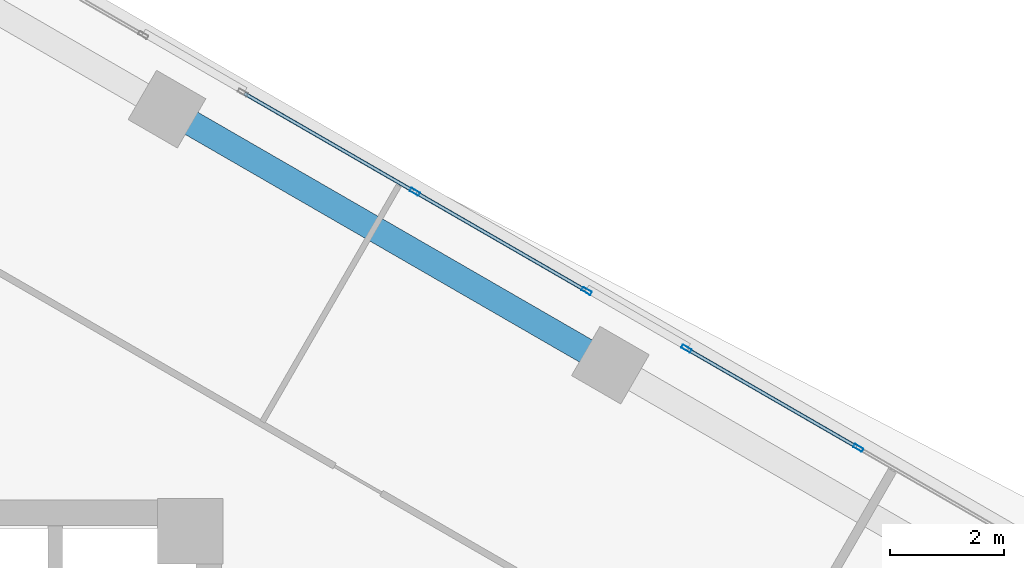
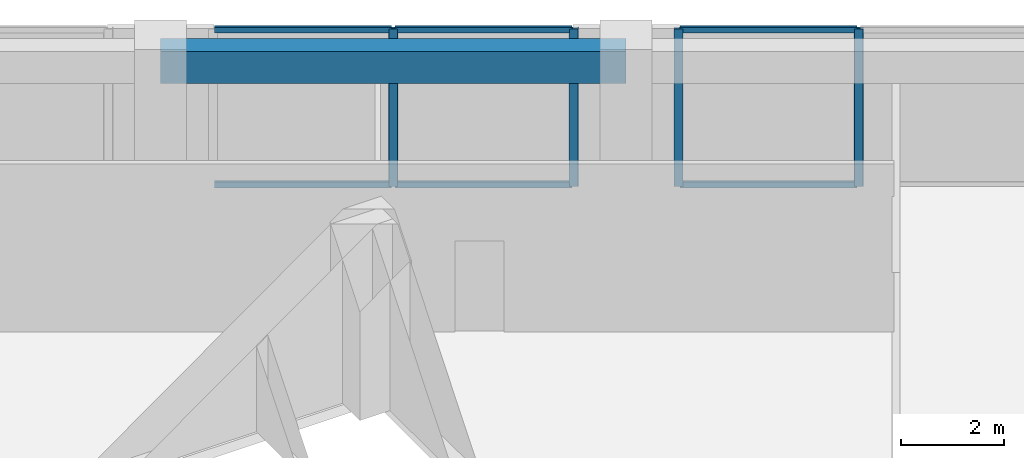
# One storey, part 15 of 21: 10 members, 1 beam, 2 elements without a shape of their own.
"""IFC4 building model written with IfcOpenShell, lengths in metres."""

from ifc_helpers import new_model, si_unit, direction, frame, origin, origin_2d, place, context, subcontext, project, spatial, rectangle, hollow_rectangle, extrude, source, transform, mapped, material, material_profile, profile_set, type_object, element, aggregate, save


model = new_model("IFC4")

# Units and contexts
model_context = context("Model", 3, precision=1e-05, world=origin(), true_north=direction((0.0, 1.0)))
body_context = subcontext(model_context, "Body", "Model", "MODEL_VIEW")
ifc_project = project(units=[si_unit("LENGTHUNIT", "METRE"), si_unit("AREAUNIT", "SQUARE_METRE"), si_unit("VOLUMEUNIT", "CUBIC_METRE"), si_unit("PLANEANGLEUNIT", "RADIAN"), si_unit("MASSUNIT", "GRAM", prefix="KILO")], contexts=[model_context])

# Site, building, storey
site_placement = place(None, origin())
site = spatial("IfcSite", under=ifc_project, at=site_placement, CompositionType="ELEMENT")
building_placement = place(site_placement, origin())
building = spatial("IfcBuilding", under=site, at=building_placement, Name="Torre Montelarca", CompositionType="ELEMENT")
storey_placement = place(building_placement, frame((0.0, 0.0, 179.199951171875)))
storey = spatial("IfcBuildingStorey", under=building, at=storey_placement, Name="L40", CompositionType="ELEMENT", Elevation=179.199951171875)

# Beam
ifc_material_1 = material(Name="Concrete C55/67", Category="concrete")
ifc_material_profile_1 = material_profile(ifc_material_1, rectangle(XDim=0.449951171875, YDim=0.75, at=origin_2d()), Name="RCB450X750", Category="concrete")
ifc_profile_set_1 = profile_set([ifc_material_profile_1], Name="Concrete C55/67")
beam_type = type_object("IfcBeamType", Name="BM-SP-RC750-EXT", PredefinedType="SPANDREL", material=ifc_profile_set_1)
shared_shape_1 = source(origin(), body_context, "Body", "SweptSolid", [
    extrude(rectangle(XDim=0.449951171875, YDim=0.75, at=origin_2d()), origin(), (0.0, 0.0, 1.0), 9.0),
])
beam_placement = place(storey_placement, frame((26.0439453125, 46.870361328125, 3.5849609375), z_axis=(0.866024315419, -0.5000018851, 0.0), x_axis=(0.5000018851, 0.866024315419, 0.0)))
element("IfcBeam", 1, at=beam_placement, inside=storey, type_object=beam_type, Name="L40 Grid Girder X 18.0-27.0 at Y=47.1", PredefinedType="SPANDREL", context=body_context, shape_type="MappedRepresentation", body=[
    mapped(shared_shape_1, transform((0.0, 0.0, 0.0), scale=1.0)),
])

# Curtain wall, members
ifc_material_2 = material(Name="Insulated low-E laminated glass", Category="glass")
curtain_wall_type = type_object("IfcCurtainWallType", Name="CW-SYS-Z2", PredefinedType="USERDEFINED", material=ifc_material_2)
curtain_wall_1_placement = place(storey_placement, origin())
curtain_wall_1 = element("IfcCurtainWall", 2, at=curtain_wall_1_placement, inside=storey, type_object=curtain_wall_type, Name="L40 Curtain Wall Run CW-T3-L40-E08-B2", ObjectType="UNITISED GLAZING", PredefinedType="USERDEFINED")
ifc_material_3 = material(Name="Anodised aluminium AA 6063-T6", Category="aluminium")
ifc_material_profile_2 = material_profile(ifc_material_3, hollow_rectangle(XDim=0.06494140625, YDim=0.179931640625, WallThickness=0.00390625, InnerFilletRadius=0.00390625, OuterFilletRadius=0.008056640625, at=origin_2d()), Name="ALU65X180X4", Category="aluminium")
ifc_profile_set_2 = profile_set([ifc_material_profile_2], Name="Anodised aluminium AA 6063-T6")
member_type_1 = type_object("IfcMemberType", Name="CWM-ALU180", PredefinedType="MULLION", material=ifc_profile_set_2)
shared_shape_2 = source(origin(), body_context, "Body", "SweptSolid", [
    extrude(hollow_rectangle(XDim=0.06494140625, YDim=0.179931640625, WallThickness=0.00390625, InnerFilletRadius=0.00390625, OuterFilletRadius=0.008056640625, at=origin_2d()), origin(), (0.0, 0.0, 1.0), 3.719970703125),
])
member_1_placement = place(storey_placement, frame((38.1953125, 40.9169921875, 0.0), z_axis=(0.0, 0.0, 1.0), x_axis=(-0.49999500825, -0.866028285754, 0.0)))
member_1 = element("IfcMember", 3, at=member_1_placement, type_object=member_type_1, Name="CW mullion 2", PredefinedType="MULLION", context=body_context, shape_type="MappedRepresentation", body=[
    mapped(shared_shape_2, transform((0.0, 0.0, 0.0), scale=1.0)),
])
member_2_placement = place(storey_placement, frame((35.175048828125, 42.66064453125, 0.0), z_axis=(0.0, 0.0, 1.0), x_axis=(-0.49999500825, -0.866028285754, 0.0)))
member_2 = element("IfcMember", 4, at=member_2_placement, type_object=member_type_1, Name="CW mullion 3", PredefinedType="MULLION", context=body_context, shape_type="MappedRepresentation", body=[
    mapped(shared_shape_2, transform((0.0, 0.0, 0.0), scale=1.0)),
])

curtain_wall_2_placement = place(storey_placement, origin())
curtain_wall_2 = element("IfcCurtainWall", 5, at=curtain_wall_2_placement, inside=storey, type_object=curtain_wall_type, Name="L40 Curtain Wall Run CW-T3-L40-E08-B3", ObjectType="UNITISED GLAZING", PredefinedType="USERDEFINED")
member_3_placement = place(storey_placement, frame((33.421142578125, 43.67333984375, 0.0), z_axis=(0.0, 0.0, 1.0), x_axis=(-0.500001158972, -0.866024734651, 0.0)))
member_3 = element("IfcMember", 6, at=member_3_placement, type_object=member_type_1, Name="CW mullion 1", PredefinedType="MULLION", context=body_context, shape_type="MappedRepresentation", body=[
    mapped(shared_shape_2, transform((0.0, 0.0, 0.0), scale=1.0)),
])
member_4_placement = place(storey_placement, frame((30.40087890625, 45.4169921875, 0.0), z_axis=(0.0, 0.0, 1.0), x_axis=(-0.500001158972, -0.866024734651, 0.0)))
member_4 = element("IfcMember", 7, at=member_4_placement, type_object=member_type_1, Name="CW mullion 2", PredefinedType="MULLION", context=body_context, shape_type="MappedRepresentation", body=[
    mapped(shared_shape_2, transform((0.0, 0.0, 0.0), scale=1.0)),
])

# Member
ifc_material_profile_3 = material_profile(ifc_material_3, hollow_rectangle(XDim=0.06494140625, YDim=0.139892578125, WallThickness=0.00390625, InnerFilletRadius=0.00390625, OuterFilletRadius=0.008056640625, at=origin_2d()), Name="ALU65X140X4", Category="aluminium")
ifc_profile_set_3 = profile_set([ifc_material_profile_3], Name="Anodised aluminium AA 6063-T6")
member_type_2 = type_object("IfcMemberType", Name="CWT-ALU140", PredefinedType="USERDEFINED", material=ifc_profile_set_3)
shared_shape_3 = source(origin(), body_context, "Body", "SweptSolid", [
    extrude(hollow_rectangle(XDim=0.06494140625, YDim=0.139892578125, WallThickness=0.00390625, InnerFilletRadius=0.00390625, OuterFilletRadius=0.008056640625, at=origin_2d()), origin(), (0.0, 0.0, 1.0), 3.42236328125),
])
member_5_placement = place(storey_placement, frame((38.1669921875, 40.933349609375, 0.032470703125), z_axis=(-0.866026400529, 0.499998273584, 0.0), x_axis=(-0.499998273584, -0.866026400529, 0.0)))
member_5 = element("IfcMember", 8, at=member_5_placement, type_object=member_type_2, Name="CW transom 2.1", ObjectType="TRANSOM", PredefinedType="USERDEFINED", context=body_context, shape_type="MappedRepresentation", body=[
    mapped(shared_shape_3, transform((0.0, 0.0, 0.0), scale=1.0)),
])

member_6_placement = place(storey_placement, frame((38.1669921875, 40.933349609375, 3.6875), z_axis=(-0.866026400529, 0.499998273584, 0.0), x_axis=(-0.499998273584, -0.866026400529, 0.0)))
member_6 = element("IfcMember", 9, at=member_6_placement, type_object=member_type_2, Name="CW transom 2.2", ObjectType="TRANSOM", PredefinedType="USERDEFINED", context=body_context, shape_type="MappedRepresentation", body=[
    mapped(shared_shape_3, transform((0.0, 0.0, 0.0), scale=1.0)),
])

aggregate(curtain_wall_1, [member_1, member_2, member_5, member_6])

member_7_placement = place(storey_placement, frame((33.39306640625, 43.689453125, 0.032470703125), z_axis=(-0.866026400529, 0.499998273584, 0.0), x_axis=(-0.499998273584, -0.866026400529, 0.0)))
member_7 = element("IfcMember", 10, at=member_7_placement, type_object=member_type_2, Name="CW transom 1.1", ObjectType="TRANSOM", PredefinedType="USERDEFINED", context=body_context, shape_type="MappedRepresentation", body=[
    mapped(shared_shape_3, transform((0.0, 0.0, 0.0), scale=1.0)),
])

member_8_placement = place(storey_placement, frame((33.39306640625, 43.689453125, 3.6875), z_axis=(-0.866026400529, 0.499998273584, 0.0), x_axis=(-0.499998273584, -0.866026400529, 0.0)))
member_8 = element("IfcMember", 11, at=member_8_placement, type_object=member_type_2, Name="CW transom 1.2", ObjectType="TRANSOM", PredefinedType="USERDEFINED", context=body_context, shape_type="MappedRepresentation", body=[
    mapped(shared_shape_3, transform((0.0, 0.0, 0.0), scale=1.0)),
])

member_9_placement = place(storey_placement, frame((30.372802734375, 45.433349609375, 0.032470703125), z_axis=(-0.866026400529, 0.499998273584, 0.0), x_axis=(-0.499998273584, -0.866026400529, 0.0)))
member_9 = element("IfcMember", 12, at=member_9_placement, type_object=member_type_2, Name="CW transom 2.1", ObjectType="TRANSOM", PredefinedType="USERDEFINED", context=body_context, shape_type="MappedRepresentation", body=[
    mapped(shared_shape_3, transform((0.0, 0.0, 0.0), scale=1.0)),
])

member_10_placement = place(storey_placement, frame((30.372802734375, 45.433349609375, 3.6875), z_axis=(-0.866026400529, 0.499998273584, 0.0), x_axis=(-0.499998273584, -0.866026400529, 0.0)))
member_10 = element("IfcMember", 13, at=member_10_placement, type_object=member_type_2, Name="CW transom 2.2", ObjectType="TRANSOM", PredefinedType="USERDEFINED", context=body_context, shape_type="MappedRepresentation", body=[
    mapped(shared_shape_3, transform((0.0, 0.0, 0.0), scale=1.0)),
])

aggregate(curtain_wall_2, [member_3, member_4, member_7, member_8, member_9, member_10])

save(model, "model.ifc")
